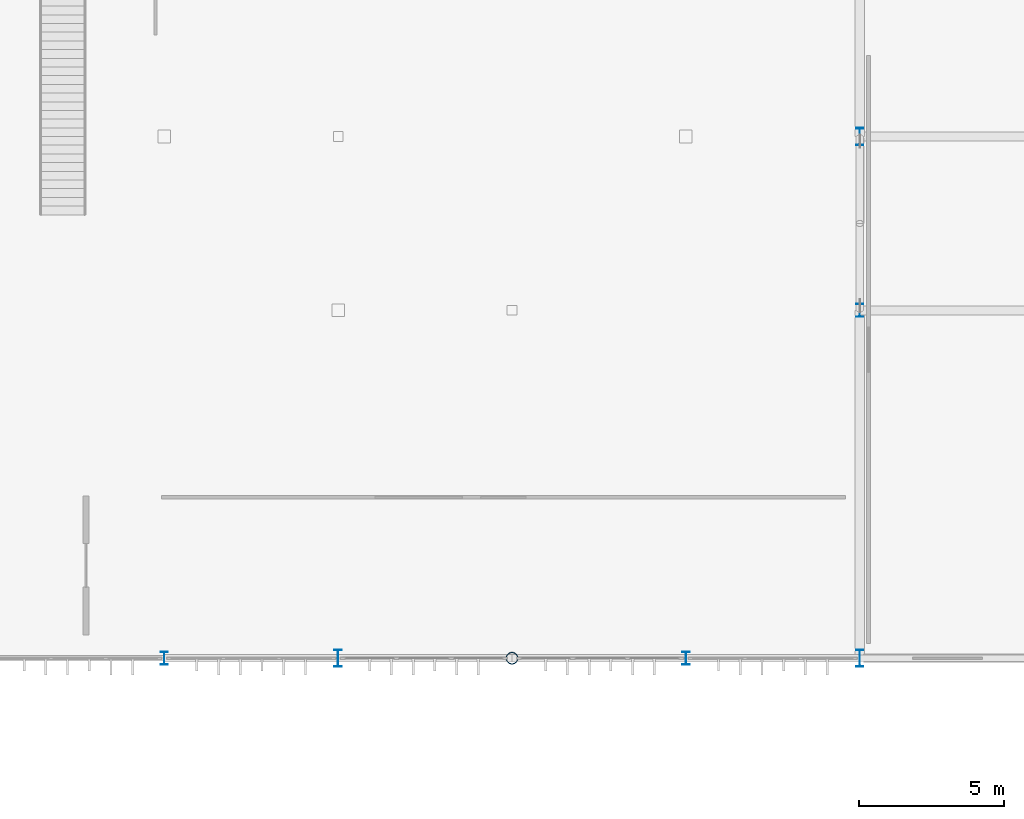
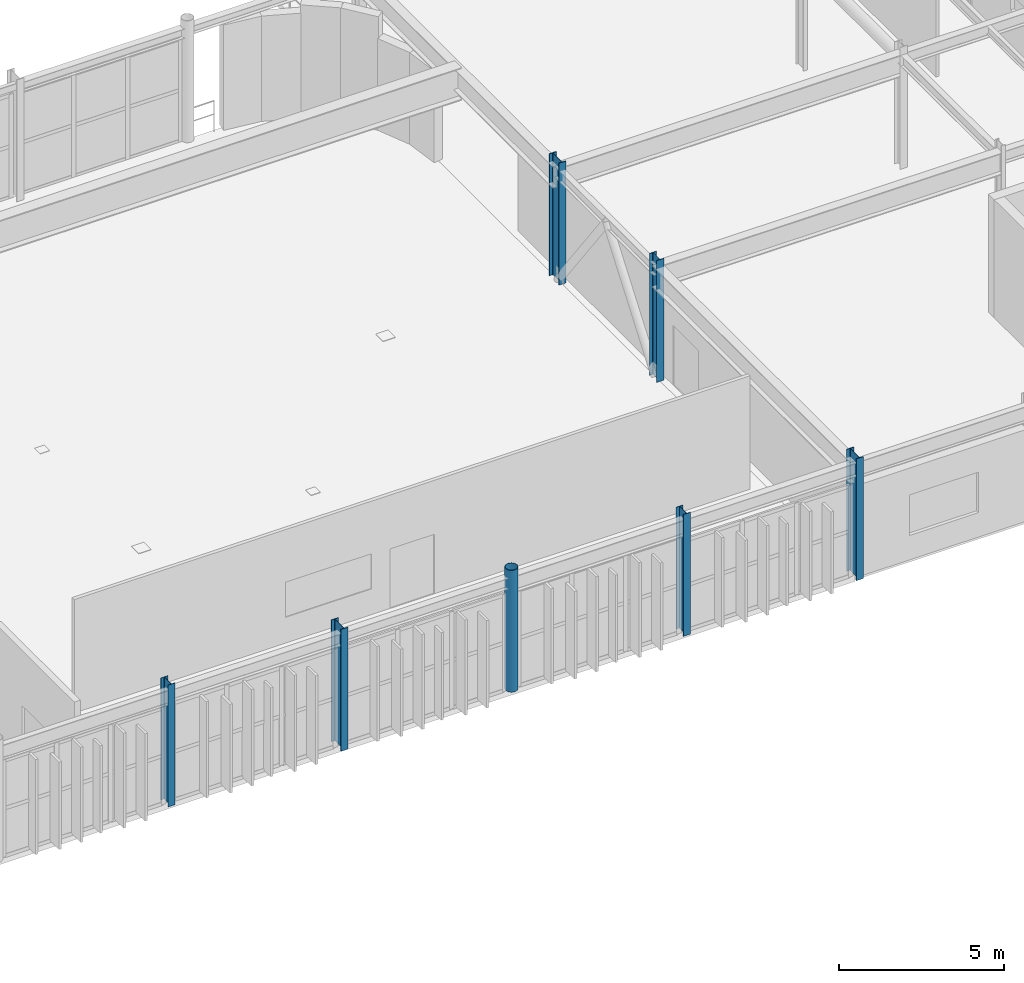
# One storey, part 13 of 84: 7 columns.
"""IFC4 building model written with IfcOpenShell, lengths in metres."""

from ifc_helpers import new_model, si_unit, direction, frame, origin, origin_2d, place, context, subcontext, project, spatial, hollow_circle, i_section, extrude, material, material_profile, profile_set, type_object, element, save


model = new_model("IFC4")

# Units and contexts
model_context = context("Model", 3, precision=1e-05, world=origin(), true_north=direction((0.0, 1.0)))
body_context = subcontext(model_context, "Body", "Model", "MODEL_VIEW")
ifc_project = project(units=[si_unit("LENGTHUNIT", "METRE"), si_unit("AREAUNIT", "SQUARE_METRE"), si_unit("VOLUMEUNIT", "CUBIC_METRE"), si_unit("PLANEANGLEUNIT", "RADIAN"), si_unit("MASSUNIT", "GRAM", prefix="KILO")], contexts=[model_context])

# Site, building, storey
site_placement = place(None, origin())
site = spatial("IfcSite", under=ifc_project, at=site_placement, CompositionType="ELEMENT")
building_placement = place(site_placement, origin())
building = spatial("IfcBuilding", under=site, at=building_placement, Name="Varnakota Square Police Headquarters", CompositionType="ELEMENT")
storey_placement = place(building_placement, frame((0.0, 0.0, 13.5)))
storey = spatial("IfcBuildingStorey", under=building, at=storey_placement, Name="L03", CompositionType="ELEMENT", Elevation=13.5)

# Columns
ifc_material = material(Name="Steel IS 2062 Grade 350", Category="steel")
ifc_material_profile_1 = material_profile(ifc_material, hollow_circle(Radius=0.203125, WallThickness=0.01611328125, at=origin_2d()), Name="CHS 406.4x16.0")
ifc_profile_set_1 = profile_set([ifc_material_profile_1], Name="Steel IS 2062 Grade 350")
column_type_1 = type_object("IfcColumnType", Name="COL-CHS406", PredefinedType="COLUMN", material=ifc_profile_set_1)
column_placement = place(storey_placement, frame((84.0, 69.0, 0.0), z_axis=(0.0, 0.0, 1.0), x_axis=(1.0, 0.0, 0.0)))
element("IfcColumn", 1, at=column_placement, inside=storey, type_object=column_type_1, Name="Column X0840-Y0690 L03", PredefinedType="COLUMN", context=body_context, shape_type="SweptSolid", body=[
    extrude(hollow_circle(Radius=0.203125, WallThickness=0.01611328125, at=origin_2d()), origin(), (0.0, 0.0, 1.0), 4.5),
])
ifc_material_profile_2 = material_profile(ifc_material, i_section(OverallWidth=0.25, OverallDepth=0.449951171875, WebThickness=0.01123046875, FlangeThickness=0.013671875, FilletRadius=0.014892578125, at=origin_2d()), Name="ISHB 450")
ifc_profile_set_2 = profile_set([ifc_material_profile_2], Name="Steel IS 2062 Grade 350")
column_type_2 = type_object("IfcColumnType", Name="COL-ISHB450", PredefinedType="COLUMN", material=ifc_profile_set_2)
for number, where, z_axis, x_axis, name in (
    (2, (72.0, 69.0, 0.0), (0.0, 0.0, 1.0), (1.0, 0.0, 0.0), "Column X0720-Y0690 L03"),
    (3, (90.0, 69.0, 0.0), (0.0, 0.0, 1.0), (1.0, 0.0, 0.0), "Column X0900-Y0690 L03"),
    (4, (96.0, 81.0, 0.0), (0.0, 0.0, 1.0), (1.0, 0.0, 0.0), "Column X0960-Y0810 L03"),
):
    element("IfcColumn", number, at=place(storey_placement, frame(where, z_axis=z_axis, x_axis=x_axis)), inside=storey, type_object=column_type_2, Name=name, PredefinedType="COLUMN", context=body_context, shape_type="SweptSolid", body=[
        extrude(i_section(OverallWidth=0.25, OverallDepth=0.449951171875, WebThickness=0.01123046875, FlangeThickness=0.013671875, FilletRadius=0.014892578125, at=origin_2d()), origin(), (0.0, 0.0, 1.0), 4.5),
    ])
ifc_material_profile_3 = material_profile(ifc_material, i_section(OverallWidth=0.25, OverallDepth=0.60009765625, WebThickness=0.01171875, FlangeThickness=0.023681640625, FilletRadius=0.01708984375, at=origin_2d()), Name="ISWB 600")
ifc_profile_set_3 = profile_set([ifc_material_profile_3], Name="Steel IS 2062 Grade 350")
column_type_3 = type_object("IfcColumnType", Name="COL-ISWB600", PredefinedType="COLUMN", material=ifc_profile_set_3)
for number, where, z_axis, x_axis, name in (
    (5, (78.0, 69.0, 0.0), (0.0, 0.0, 1.0), (1.0, 0.0, 0.0), "Column X0780-Y0690 L03"),
    (6, (96.0, 69.0, 0.0), (0.0, 0.0, 1.0), (1.0, 0.0, 0.0), "Column X0960-Y0690 L03"),
    (7, (96.0, 87.0, 0.0), (0.0, 0.0, 1.0), (1.0, 0.0, 0.0), "Column X0960-Y0870 L03"),
):
    element("IfcColumn", number, at=place(storey_placement, frame(where, z_axis=z_axis, x_axis=x_axis)), inside=storey, type_object=column_type_3, Name=name, PredefinedType="COLUMN", context=body_context, shape_type="SweptSolid", body=[
        extrude(i_section(OverallWidth=0.25, OverallDepth=0.60009765625, WebThickness=0.01171875, FlangeThickness=0.023681640625, FilletRadius=0.01708984375, at=origin_2d()), origin(), (0.0, 0.0, 1.0), 4.5),
    ])

save(model, "model.ifc")
